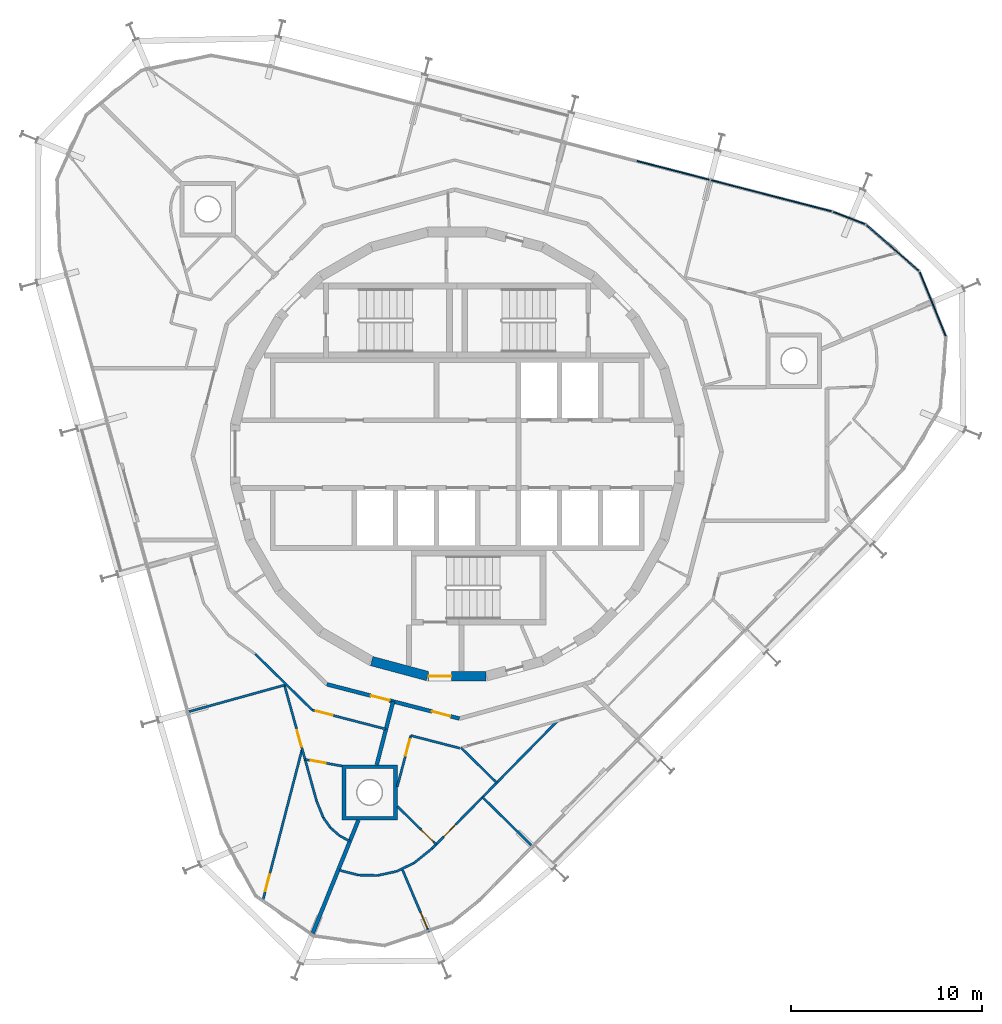
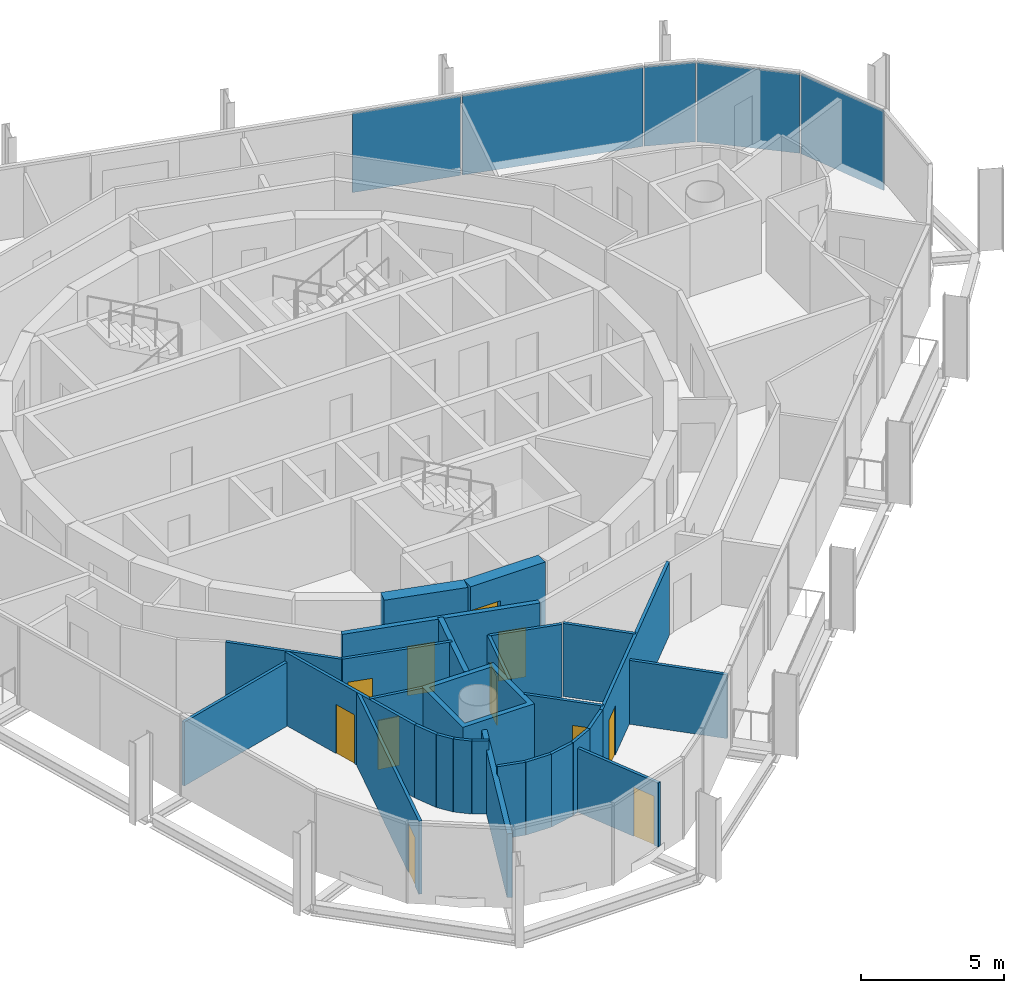
# One storey, part 9 of 15: 28 walls, 11 doors, 5 plates, 11 openings, 2 elements without a shape of their own.
"""IFC4 building model written with IfcOpenShell, lengths in metres."""

from ifc_helpers import new_model, si_unit, direction, frame, frame_2d, origin, origin_2d, place, context, subcontext, project, spatial, polyline, rectangle, outline, extrude, material, layer, layer_set, type_object, element, fill, aggregate, save


model = new_model("IFC4")

# Units and contexts
model_context = context("Model", 3, precision=1e-05, world=origin(), true_north=direction((0.0, 1.0)))
body_context = subcontext(model_context, "Body", "Model", "MODEL_VIEW")
ifc_project = project(units=[si_unit("LENGTHUNIT", "METRE"), si_unit("AREAUNIT", "SQUARE_METRE"), si_unit("VOLUMEUNIT", "CUBIC_METRE"), si_unit("PLANEANGLEUNIT", "RADIAN"), si_unit("MASSUNIT", "GRAM", prefix="KILO")], contexts=[model_context])

# Site, building, storey
site_placement = place(None, origin())
site = spatial("IfcSite", under=ifc_project, at=site_placement, CompositionType="ELEMENT")
building_placement = place(site_placement, origin())
building = spatial("IfcBuilding", under=site, at=building_placement, Name="Spindle Arch Residences", CompositionType="ELEMENT")
storey_placement = place(building_placement, frame((0.0, 0.0, 305.199951171875)))
storey = spatial("IfcBuildingStorey", under=building, at=storey_placement, Name="L78", CompositionType="ELEMENT", Elevation=305.199951171875)

# Curtain wall, plates
ifc_material_1 = material(Name="Aluminium bronze unitised frame with tinted glass", Category="aluminium")
ifc_layer_1 = layer(ifc_material_1, 0.159912109375)
ifc_layer_set_1 = layer_set([ifc_layer_1], Name="CW-D corner wall on the fillet arcs")
curtain_wall_type_1 = type_object("IfcCurtainWallType", Name="CW-D corner wall on the fillet arcs", PredefinedType="NOTDEFINED", material=ifc_layer_set_1)
curtain_wall_1_placement = place(storey_placement, origin())
curtain_wall_1 = element("IfcCurtainWall", 1, at=curtain_wall_1_placement, inside=storey, type_object=curtain_wall_type_1, Name="CW-D L78 run 1", PredefinedType="NOTDEFINED")
ifc_material_2 = material(Name="Tinted double glazing over non-combustible spandrel zone with 0.55 mm stainless steel cavity fire stop (K0)", Category="steel")
ifc_layer_2 = layer(ifc_material_2, 0.070068359375)
ifc_layer_set_2 = layer_set([ifc_layer_2], Name="Unitised glass panel with spandrel zone and stainless cavity fire stop")
plate_type = type_object("IfcPlateType", Name="Unitised glass panel with spandrel zone and stainless cavity fire stop", PredefinedType="CURTAIN_PANEL", material=ifc_layer_set_2)
plate_1_placement = place(storey_placement, frame((24.94384765625, 7.86474609375, -0.3798828125), z_axis=(0.0, 0.0, 1.0), x_axis=(-0.377302072189, 0.926090247396, 0.0)))
plate_1 = element("IfcPlate", 2, at=plate_1_placement, type_object=plate_type, Name="CW-D unit 03", PredefinedType="CURTAIN_PANEL", context=body_context, shape_type="SweptSolid", body=[
    extrude(rectangle(XDim=3.666748046875, YDim=0.070068359375, at=origin_2d()), origin(), (0.0, 0.0, 1.0), 3.3798828125),
])
plate_2_placement = place(storey_placement, frame((22.837890625, 10.81689453125, -0.3798828125), z_axis=(0.0, 0.0, 1.0), x_axis=(-0.752797991635, 0.658251611308, 0.0)))
plate_2 = element("IfcPlate", 3, at=plate_2_placement, type_object=plate_type, Name="CW-D unit 04", PredefinedType="CURTAIN_PANEL", context=body_context, shape_type="SweptSolid", body=[
    extrude(rectangle(XDim=3.666748046875, YDim=0.070068359375, at=origin_2d()), origin(), (0.0, 0.0, 1.0), 3.3798828125),
])
plate_3_placement = place(storey_placement, frame((20.560546875, 12.38232421875, -0.3798828125), z_axis=(0.0, 0.0, 1.0), x_axis=(-0.932534030225, 0.361082099353, 0.0)))
plate_3 = element("IfcPlate", 4, at=plate_3_placement, type_object=plate_type, Name="CW-D unit 05", PredefinedType="CURTAIN_PANEL", context=body_context, shape_type="SweptSolid", body=[
    extrude(rectangle(XDim=1.816162109375, YDim=0.070068359375, at=origin_2d()), origin(), (0.0, 0.0, 1.0), 3.3798828125),
])
plate_4_placement = place(storey_placement, frame((16.483154296875, 13.549072265625, -0.3798828125), z_axis=(0.0, 0.0, 1.0), x_axis=(-0.968147640378, 0.250380004054, 0.0)))
plate_4 = element("IfcPlate", 5, at=plate_4_placement, type_object=plate_type, Name="CW-D unit 06", PredefinedType="CURTAIN_PANEL", context=body_context, shape_type="SweptSolid", body=[
    extrude(rectangle(XDim=6.555908203125, YDim=0.070068359375, at=origin_2d()), origin(), (0.0, 0.0, 1.0), 3.3798828125),
])
aggregate(curtain_wall_1, [plate_1, plate_2, plate_3, plate_4])

# Curtain wall, plate
ifc_material_3 = material(Name="Aluminium bronze unitised frame with tinted glass", Category="aluminium")
ifc_layer_3 = layer(ifc_material_3, 0.159912109375)
ifc_layer_set_3 = layer_set([ifc_layer_3], Name="CW-C typical residential unitised wall")
curtain_wall_type_2 = type_object("IfcCurtainWallType", Name="CW-C typical residential unitised wall", PredefinedType="NOTDEFINED", material=ifc_layer_set_3)
curtain_wall_2_placement = place(storey_placement, origin())
curtain_wall_2 = element("IfcCurtainWall", 6, at=curtain_wall_2_placement, inside=storey, type_object=curtain_wall_type_2, Name="CW-C L78 run 2", PredefinedType="NOTDEFINED")
plate_5_placement = place(storey_placement, frame((11.34521484375, 14.8779296875, -0.3798828125), z_axis=(0.0, 0.0, 1.0), x_axis=(-0.968147640378, 0.250380004054, 0.0)))
plate_5 = element("IfcPlate", 7, at=plate_5_placement, type_object=plate_type, Name="CW-C unit 05A", PredefinedType="CURTAIN_PANEL", context=body_context, shape_type="SweptSolid", body=[
    extrude(rectangle(XDim=3.9375, YDim=0.070068359375, at=origin_2d()), origin(), (0.0, 0.0, 1.0), 3.3798828125),
])
aggregate(curtain_wall_2, [plate_5])

# Wall
ifc_material_4 = material(Name="Concrete C50/60", Category="concrete")
ifc_layer_4 = layer(ifc_material_4, 0.5)
ifc_layer_set_4 = layer_set([ifc_layer_4], Name="Core outline wall 500")
wall_type_1 = type_object("IfcWallType", Name="Core outline wall 500", PredefinedType="SHEAR", material=ifc_layer_set_4)
wall_1_placement = place(storey_placement, frame((-4.479248046875, -10.858154296875, 0.0), z_axis=(0.0, 0.0, 1.0), x_axis=(0.965948410781, -0.258734743916, 0.0)))
element("IfcWall", 8, at=wall_1_placement, inside=storey, type_object=wall_type_1, Name="Core outline wall 23", PredefinedType="SHEAR", context=body_context, shape_type="SweptSolid", body=[
    extrude(rectangle(XDim=3.03271484375, YDim=0.5, at=frame_2d((1.516357421875, 0.0))), origin(), (0.0, 0.0, 1.0), 3.1201171875),
])

# Wall, opening, door
wall_2_placement = place(storey_placement, frame((-1.516357421875, -11.647216796875, 0.0), z_axis=(0.0, 0.0, 1.0), x_axis=(1.0, 0.0, 0.0)))
wall_2 = element("IfcWall", 9, at=wall_2_placement, inside=storey, type_object=wall_type_1, Name="Core outline wall 24", PredefinedType="SHEAR", context=body_context, shape_type="SweptSolid", body=[
    extrude(rectangle(XDim=3.03271484375, YDim=0.5, at=frame_2d((1.516357421875, 0.0))), origin(), (0.0, 0.0, 1.0), 3.1201171875),
])
opening_1_placement = place(wall_2_placement, frame((0.016357421875, 0.0, 0.0)))
opening_1 = element("IfcOpeningElement", 10, at=opening_1_placement, cuts=wall_2, Name="Opening R8A0-AD03", PredefinedType="OPENING", context=body_context, shape_type="SweptSolid", body=[
    extrude(rectangle(XDim=1.199951171875, YDim=2.10009765625, at=frame_2d((0.60009765625, 1.050048828125))), frame((0.0, 0.260009765625, 0.0), z_axis=(0.0, -1.0, 0.0), x_axis=(1.0, 0.0, 0.0)), (0.0, 0.0, 1.0), 0.52001953125),
])
ifc_material_5 = material(Name="Steel, fire-resisting door", Category="steel")
door_type_1 = type_object("IfcDoorType", Name="Stair airlock door 1200x2100", OperationType="SINGLE_SWING_LEFT", PredefinedType="DOOR", material=ifc_material_5)
door_1_placement = place(opening_1_placement, origin())
door_1 = element("IfcDoor", 11, at=door_1_placement, inside=storey, type_object=door_type_1, Name="Stair airlock door R8A0-AD03", OperationType="SINGLE_SWING_RIGHT", OverallHeight=2.10009765625, OverallWidth=1.199951171875, PredefinedType="DOOR", context=body_context, shape_type="SweptSolid", body=[
    extrude(rectangle(XDim=1.199951171875, YDim=2.10009765625, at=frame_2d((0.60009765625, 1.050048828125))), frame((0.0, 0.02490234375, 0.0), z_axis=(0.0, -1.0, 0.0), x_axis=(1.0, 0.0, 0.0)), (0.0, 0.0, 1.0), 0.050048828125),
])
fill(opening_1, door_1)

# Wall, openings, doors
ifc_material_6 = material(Name="Calcium silicate block, plastered")
ifc_layer_5 = layer(ifc_material_6, 0.199951171875)
ifc_layer_set_5 = layer_set([ifc_layer_5], Name="Corridor wall 200")
wall_type_2 = type_object("IfcWallType", Name="Corridor wall 200", PredefinedType="STANDARD", material=ifc_layer_set_5)
wall_3_placement = place(storey_placement, frame((-6.831298828125, -12.07421875, 0.0), z_axis=(0.0, 0.0, 1.0), x_axis=(0.968144780225, -0.250391063186, 0.0)))
wall_3 = element("IfcWall", 12, at=wall_3_placement, inside=storey, type_object=wall_type_2, Name="Corridor wall R8A0-W014", PredefinedType="STANDARD", context=body_context, shape_type="SweptSolid", body=[
    extrude(rectangle(XDim=7.18115234375, YDim=0.199951171875, at=frame_2d((3.590576171875, 0.0))), origin(), (0.0, 0.0, 1.0), 3.1201171875),
])
opening_2_placement = place(wall_3_placement, frame((2.390380859375, 0.0, 0.0)))
opening_2 = element("IfcOpeningElement", 13, at=opening_2_placement, cuts=wall_3, Name="Opening R8A0-FD04", PredefinedType="OPENING", context=body_context, shape_type="SweptSolid", body=[
    extrude(rectangle(XDim=1.0, YDim=2.10009765625, at=frame_2d((0.5, 1.050048828125))), frame((0.0, 0.10986328125, 0.0), z_axis=(0.0, -1.0, 0.0), x_axis=(1.0, 0.0, 0.0)), (0.0, 0.0, 1.0), 0.219970703125),
])
opening_3_placement = place(wall_3_placement, frame((5.6904296875, 0.0, 0.0)))
opening_3 = element("IfcOpeningElement", 14, at=opening_3_placement, cuts=wall_3, Name="Opening R8A0-FD05", PredefinedType="OPENING", context=body_context, shape_type="SweptSolid", body=[
    extrude(rectangle(XDim=1.0, YDim=2.10009765625, at=frame_2d((0.5, 1.050048828125))), frame((0.0, 0.10986328125, 0.0), z_axis=(0.0, -1.0, 0.0), x_axis=(1.0, 0.0, 0.0)), (0.0, 0.0, 1.0), 0.219970703125),
])
ifc_material_7 = material(Name="Timber, fire-resisting door set", Category="wood")
door_type_2 = type_object("IfcDoorType", Name="Flat entrance door 1000x2100", OperationType="NOTDEFINED", PredefinedType="DOOR", material=ifc_material_7)
door_2_placement = place(opening_2_placement, origin())
door_2 = element("IfcDoor", 15, at=door_2_placement, inside=storey, type_object=door_type_2, Name="Flat entrance door R8A0-FD04", OperationType="SINGLE_SWING_RIGHT", OverallHeight=2.10009765625, OverallWidth=1.0, PredefinedType="DOOR", context=body_context, shape_type="SweptSolid", body=[
    extrude(rectangle(XDim=1.0, YDim=2.10009765625, at=frame_2d((0.5, 1.050048828125))), frame((0.0, 0.02490234375, 0.0), z_axis=(0.0, -1.0, 0.0), x_axis=(1.0, 0.0, 0.0)), (0.0, 0.0, 1.0), 0.050048828125),
])
fill(opening_2, door_2)
door_3_placement = place(opening_3_placement, origin())
door_3 = element("IfcDoor", 16, at=door_3_placement, inside=storey, type_object=door_type_2, Name="Flat entrance door R8A0-FD05", OperationType="SINGLE_SWING_LEFT", OverallHeight=2.10009765625, OverallWidth=1.0, PredefinedType="DOOR", context=body_context, shape_type="SweptSolid", body=[
    extrude(rectangle(XDim=1.0, YDim=2.10009765625, at=frame_2d((0.5, 1.050048828125))), frame((0.0, 0.02490234375, 0.0), z_axis=(0.0, -1.0, 0.0), x_axis=(1.0, 0.0, 0.0)), (0.0, 0.0, 1.0), 0.050048828125),
])
fill(opening_3, door_3)

# Wall
ifc_material_8 = material(Name="Plasterboard on steel studs", Category="steel")
ifc_layer_6 = layer(ifc_material_8, 0.1201171875)
ifc_layer_set_6 = layer_set([ifc_layer_6], Name="Flat partition 120")
wall_type_3 = type_object("IfcWallType", Name="Flat partition 120", PredefinedType="PARTITIONING", material=ifc_layer_set_6)
wall_4_placement = place(storey_placement, frame((-10.59033203125, -10.483154296875, 0.0), z_axis=(0.0, 0.0, 1.0), x_axis=(0.713244109461, -0.70091571556, 0.0)))
element("IfcWall", 17, at=wall_4_placement, inside=storey, type_object=wall_type_3, Name="Flat partition R8A0-W073", PredefinedType="PARTITIONING", context=body_context, shape_type="SweptSolid", body=[
    extrude(rectangle(XDim=4.1982421875, YDim=0.1201171875, at=frame_2d((2.09912109375, 0.0))), origin(), (0.0, 0.0, 1.0), 3.1201171875),
])

# Wall, opening, door
wall_5_placement = place(storey_placement, frame((-7.595947265625, -13.42578125, 0.0), z_axis=(0.0, 0.0, 1.0), x_axis=(0.96815406745, -0.250355151095, 0.0)))
wall_5 = element("IfcWall", 18, at=wall_5_placement, inside=storey, type_object=wall_type_3, Name="Flat partition R8A0-W074", PredefinedType="PARTITIONING", context=body_context, shape_type="SweptSolid", body=[
    extrude(rectangle(XDim=3.992431640625, YDim=0.1201171875, at=frame_2d((1.99609375, 0.0))), origin(), (0.0, 0.0, 1.0), 3.1201171875),
])
opening_4_placement = place(wall_5_placement, frame((0.199951171875, 0.0, 0.0)))
opening_4 = element("IfcOpeningElement", 19, at=opening_4_placement, cuts=wall_5, Name="Opening R8A0-ID13", PredefinedType="OPENING", context=body_context, shape_type="SweptSolid", body=[
    extrude(rectangle(XDim=0.89990234375, YDim=2.10009765625, at=frame_2d((0.449951171875, 1.050048828125))), frame((0.0, 0.070068359375, 0.0), z_axis=(0.0, -1.0, 0.0), x_axis=(1.0, 0.0, 0.0)), (0.0, 0.0, 1.0), 0.14013671875),
])
ifc_material_9 = material(Name="Timber door set", Category="wood")
door_type_3 = type_object("IfcDoorType", Name="Room door 900x2100", OperationType="NOTDEFINED", PredefinedType="DOOR", material=ifc_material_9)
door_4_placement = place(opening_4_placement, origin())
door_4 = element("IfcDoor", 20, at=door_4_placement, inside=storey, type_object=door_type_3, Name="Room door R8A0-ID13", OperationType="SINGLE_SWING_RIGHT", OverallHeight=2.10009765625, OverallWidth=0.89990234375, PredefinedType="DOOR", context=body_context, shape_type="SweptSolid", body=[
    extrude(rectangle(XDim=0.89990234375, YDim=2.10009765625, at=frame_2d((0.449951171875, 1.050048828125))), frame((0.0, 0.02490234375, 0.0), z_axis=(0.0, -1.0, 0.0), x_axis=(1.0, 0.0, 0.0)), (0.0, 0.0, 1.0), 0.050048828125),
])
fill(opening_4, door_4)

wall_6_placement = place(storey_placement, frame((-7.368408203125, -18.201904296875, 0.0), z_axis=(0.0, 0.0, 1.0), x_axis=(-0.26723158658, 0.963632336077, 0.0)))
wall_6 = element("IfcWall", 21, at=wall_6_placement, inside=storey, type_object=wall_type_3, Name="Flat partition R8A0-W076", PredefinedType="PARTITIONING", context=body_context, shape_type="SweptSolid", body=[
    extrude(rectangle(XDim=6.35302734375, YDim=0.1201171875, at=frame_2d((3.176513671875, 0.0))), origin(), (0.0, 0.0, 1.0), 3.1201171875),
])
opening_5_placement = place(wall_6_placement, frame((2.9560546875, 0.0, 0.0)))
opening_5 = element("IfcOpeningElement", 22, at=opening_5_placement, cuts=wall_6, Name="Opening R8A0-ID14", PredefinedType="OPENING", context=body_context, shape_type="SweptSolid", body=[
    extrude(rectangle(XDim=0.89990234375, YDim=2.10009765625, at=frame_2d((0.449951171875, 1.050048828125))), frame((0.0, 0.070068359375, 0.0), z_axis=(0.0, -1.0, 0.0), x_axis=(1.0, 0.0, 0.0)), (0.0, 0.0, 1.0), 0.14013671875),
])
door_5_placement = place(opening_5_placement, origin())
door_5 = element("IfcDoor", 23, at=door_5_placement, inside=storey, type_object=door_type_3, Name="Room door R8A0-ID14", OperationType="SINGLE_SWING_RIGHT", OverallHeight=2.10009765625, OverallWidth=0.89990234375, PredefinedType="DOOR", context=body_context, shape_type="SweptSolid", body=[
    extrude(rectangle(XDim=0.89990234375, YDim=2.10009765625, at=frame_2d((0.449951171875, 1.050048828125))), frame((0.0, 0.02490234375, 0.0), z_axis=(0.0, -1.0, 0.0), x_axis=(1.0, 0.0, 0.0)), (0.0, 0.0, 1.0), 0.050048828125),
])
fill(opening_5, door_5)

wall_7_placement = place(storey_placement, frame((-10.18603515625, -23.406494140625, 0.0), z_axis=(0.0, 0.0, 1.0), x_axis=(0.251184292323, 0.967939280787, 0.0)))
wall_7 = element("IfcWall", 24, at=wall_7_placement, inside=storey, type_object=wall_type_3, Name="Flat partition R8A0-W077", PredefinedType="PARTITIONING", context=body_context, shape_type="SweptSolid", body=[
    extrude(rectangle(XDim=8.200439453125, YDim=0.1201171875, at=frame_2d((4.10009765625, 0.0))), origin(), (0.0, 0.0, 1.0), 3.1201171875),
])
opening_6_placement = place(wall_7_placement, frame((0.5, 0.0, 0.0)))
opening_6 = element("IfcOpeningElement", 25, at=opening_6_placement, cuts=wall_7, Name="Opening R8A0-ID15", PredefinedType="OPENING", context=body_context, shape_type="SweptSolid", body=[
    extrude(rectangle(XDim=0.89990234375, YDim=2.10009765625, at=frame_2d((0.449951171875, 1.050048828125))), frame((0.0, 0.070068359375, 0.0), z_axis=(0.0, -1.0, 0.0), x_axis=(1.0, 0.0, 0.0)), (0.0, 0.0, 1.0), 0.14013671875),
])
door_6_placement = place(opening_6_placement, origin())
door_6 = element("IfcDoor", 26, at=door_6_placement, inside=storey, type_object=door_type_3, Name="Room door R8A0-ID15", OperationType="SINGLE_SWING_RIGHT", OverallHeight=2.10009765625, OverallWidth=0.89990234375, PredefinedType="DOOR", context=body_context, shape_type="SweptSolid", body=[
    extrude(rectangle(XDim=0.89990234375, YDim=2.10009765625, at=frame_2d((0.449951171875, 1.050048828125))), frame((0.0, 0.02490234375, 0.0), z_axis=(0.0, -1.0, 0.0), x_axis=(1.0, 0.0, 0.0)), (0.0, 0.0, 1.0), 0.050048828125),
])
fill(opening_6, door_6)

wall_8_placement = place(storey_placement, frame((-7.974853515625, -16.014892578125, 0.0), z_axis=(0.0, 0.0, 1.0), x_axis=(0.984356897167, -0.176185978441, 0.0)))
wall_8 = element("IfcWall", 27, at=wall_8_placement, inside=storey, type_object=wall_type_3, Name="Flat partition R8A0-W078", PredefinedType="PARTITIONING", context=body_context, shape_type="SweptSolid", body=[
    extrude(rectangle(XDim=1.96630859375, YDim=0.1201171875, at=frame_2d((0.983154296875, 0.0))), origin(), (0.0, 0.0, 1.0), 3.1201171875),
])
opening_7_placement = place(wall_8_placement, frame((0.300048828125, 0.0, 0.0)))
opening_7 = element("IfcOpeningElement", 28, at=opening_7_placement, cuts=wall_8, Name="Opening R8A0-BD04", PredefinedType="OPENING", context=body_context, shape_type="SweptSolid", body=[
    extrude(rectangle(XDim=0.800048828125, YDim=2.10009765625, at=frame_2d((0.39990234375, 1.050048828125))), frame((0.0, 0.070068359375, 0.0), z_axis=(0.0, -1.0, 0.0), x_axis=(1.0, 0.0, 0.0)), (0.0, 0.0, 1.0), 0.14013671875),
])
ifc_material_10 = material(Name="Timber door set", Category="wood")
door_type_4 = type_object("IfcDoorType", Name="Bathroom door 800x2100", OperationType="NOTDEFINED", PredefinedType="DOOR", material=ifc_material_10)
door_7_placement = place(opening_7_placement, origin())
door_7 = element("IfcDoor", 29, at=door_7_placement, inside=storey, type_object=door_type_4, Name="Bathroom door R8A0-BD04", OperationType="SINGLE_SWING_RIGHT", OverallHeight=2.10009765625, OverallWidth=0.800048828125, PredefinedType="DOOR", context=body_context, shape_type="SweptSolid", body=[
    extrude(rectangle(XDim=0.800048828125, YDim=2.10009765625, at=frame_2d((0.39990234375, 1.050048828125))), frame((0.0, 0.02490234375, 0.0), z_axis=(0.0, -1.0, 0.0), x_axis=(1.0, 0.0, 0.0)), (0.0, 0.0, 1.0), 0.050048828125),
])
fill(opening_7, door_7)

# Walls
wall_9_placement = place(storey_placement, frame((-5.623291015625, -20.3046875, 0.0), z_axis=(0.0, 0.0, 1.0), x_axis=(-0.884133271246, 0.467234800369, 0.0)))
element("IfcWall", 30, at=wall_9_placement, inside=storey, type_object=wall_type_3, Name="Flat partition R8A0-W079", PredefinedType="PARTITIONING", context=body_context, shape_type="SweptSolid", body=[
    extrude(rectangle(XDim=0.601318359375, YDim=0.1201171875, at=frame_2d((0.30078125, 0.0))), origin(), (0.0, 0.0, 1.0), 3.1201171875),
])
wall_10_placement = place(storey_placement, frame((-6.155029296875, -20.023681640625, 0.0), z_axis=(0.0, 0.0, 1.0), x_axis=(-0.753047703781, 0.657965923001, 0.0)))
element("IfcWall", 31, at=wall_10_placement, inside=storey, type_object=wall_type_3, Name="Flat partition R8A0-W080", PredefinedType="PARTITIONING", context=body_context, shape_type="SweptSolid", body=[
    extrude(rectangle(XDim=0.641845703125, YDim=0.1201171875, at=frame_2d((0.32080078125, 0.0))), origin(), (0.0, 0.0, 1.0), 3.1201171875),
])
wall_11_placement = place(storey_placement, frame((-6.638427734375, -19.601318359375, 0.0), z_axis=(0.0, 0.0, 1.0), x_axis=(-0.580662514246, 0.814144363458, 0.0)))
element("IfcWall", 32, at=wall_11_placement, inside=storey, type_object=wall_type_3, Name="Flat partition R8A0-W081", PredefinedType="PARTITIONING", context=body_context, shape_type="SweptSolid", body=[
    extrude(rectangle(XDim=0.64208984375, YDim=0.1201171875, at=frame_2d((0.321044921875, 0.0))), origin(), (0.0, 0.0, 1.0), 3.1201171875),
])
wall_12_placement = place(storey_placement, frame((-7.01123046875, -19.07861328125, 0.0), z_axis=(0.0, 0.0, 1.0), x_axis=(-0.377296887314, 0.92609235977, 0.0)))
element("IfcWall", 33, at=wall_12_placement, inside=storey, type_object=wall_type_3, Name="Flat partition R8A0-W082", PredefinedType="PARTITIONING", context=body_context, shape_type="SweptSolid", body=[
    extrude(rectangle(XDim=0.94677734375, YDim=0.1201171875, at=frame_2d((0.473388671875, 0.0))), origin(), (0.0, 0.0, 1.0), 3.1201171875),
])

# Wall, opening, door
wall_13_placement = place(storey_placement, frame((-3.139404296875, -17.447509765625, 0.0), z_axis=(0.0, 0.0, 1.0), x_axis=(0.256551998295, 0.966530430028, 0.0)))
wall_13 = element("IfcWall", 34, at=wall_13_placement, inside=storey, type_object=wall_type_3, Name="Flat partition R8A0-W083", PredefinedType="PARTITIONING", context=body_context, shape_type="SweptSolid", body=[
    extrude(rectangle(XDim=2.77783203125, YDim=0.1201171875, at=frame_2d((1.388916015625, 0.0))), origin(), (0.0, 0.0, 1.0), 3.1201171875),
])
opening_8_placement = place(wall_13_placement, frame((1.677978515625, 0.0, 0.0)))
opening_8 = element("IfcOpeningElement", 35, at=opening_8_placement, cuts=wall_13, Name="Opening R8A0-ID16", PredefinedType="OPENING", context=body_context, shape_type="SweptSolid", body=[
    extrude(rectangle(XDim=0.89990234375, YDim=2.10009765625, at=frame_2d((0.449951171875, 1.050048828125))), frame((0.0, 0.070068359375, 0.0), z_axis=(0.0, -1.0, 0.0), x_axis=(1.0, 0.0, 0.0)), (0.0, 0.0, 1.0), 0.14013671875),
])
door_8_placement = place(opening_8_placement, origin())
door_8 = element("IfcDoor", 36, at=door_8_placement, inside=storey, type_object=door_type_3, Name="Room door R8A0-ID16", OperationType="SINGLE_SWING_LEFT", OverallHeight=2.10009765625, OverallWidth=0.89990234375, PredefinedType="DOOR", context=body_context, shape_type="SweptSolid", body=[
    extrude(rectangle(XDim=0.89990234375, YDim=2.10009765625, at=frame_2d((0.449951171875, 1.050048828125))), frame((0.0, 0.02490234375, 0.0), z_axis=(0.0, -1.0, 0.0), x_axis=(1.0, 0.0, 0.0)), (0.0, 0.0, 1.0), 0.050048828125),
])
fill(opening_8, door_8)

# Walls
wall_14_placement = place(storey_placement, frame((-2.4267578125, -14.7626953125, 0.0), z_axis=(0.0, 0.0, 1.0), x_axis=(0.968151154118, -0.250366417036, 0.0)))
element("IfcWall", 37, at=wall_14_placement, inside=storey, type_object=wall_type_3, Name="Flat partition R8A0-W084", PredefinedType="PARTITIONING", context=body_context, shape_type="SweptSolid", body=[
    extrude(rectangle(XDim=2.6455078125, YDim=0.1201171875, at=frame_2d((1.32275390625, 0.0))), origin(), (0.0, 0.0, 1.0), 3.1201171875),
])
wall_15_placement = place(storey_placement, frame((-2.259765625, -21.44921875, 0.0), z_axis=(0.0, 0.0, 1.0), x_axis=(-0.90254047062, -0.430605038166, 0.0)))
element("IfcWall", 38, at=wall_15_placement, inside=storey, type_object=wall_type_3, Name="Flat partition R8A0-W086", PredefinedType="PARTITIONING", context=body_context, shape_type="SweptSolid", body=[
    extrude(rectangle(XDim=1.01611328125, YDim=0.1201171875, at=frame_2d((0.508056640625, 0.0))), origin(), (0.0, 0.0, 1.0), 3.1201171875),
])
for number, where, z_axis, x_axis, name in (
    (39, (-3.1767578125, -21.88671875, 0.0), (0.0, 0.0, 1.0), (-0.977541432368, -0.210743322563, 0.0), "Flat partition R8A0-W087"),
    (40, (-4.169921875, -22.100830078125, 0.0), (0.0, 0.0, 1.0), (-0.999791317883, 0.02042842837, 0.0), "Flat partition R8A0-W088"),
):
    element("IfcWall", number, at=place(storey_placement, frame(where, z_axis=z_axis, x_axis=x_axis)), inside=storey, type_object=wall_type_3, Name=name, PredefinedType="PARTITIONING", context=body_context, shape_type="SweptSolid", body=[
        extrude(rectangle(XDim=1.015869140625, YDim=0.1201171875, at=frame_2d((0.5078125, 0.0))), origin(), (0.0, 0.0, 1.0), 3.1201171875),
    ])
wall_16_placement = place(storey_placement, frame((-5.185546875, -22.080078125, 0.0), z_axis=(0.0, 0.0, 1.0), x_axis=(-0.968145907309, 0.250386705241, 0.0)))
element("IfcWall", 41, at=wall_16_placement, inside=storey, type_object=wall_type_3, Name="Flat partition R8A0-W089", PredefinedType="PARTITIONING", context=body_context, shape_type="SweptSolid", body=[
    extrude(rectangle(XDim=1.01611328125, YDim=0.1201171875, at=frame_2d((0.508056640625, 0.0))), origin(), (0.0, 0.0, 1.0), 3.1201171875),
])

# Wall, opening, door
wall_17_placement = place(storey_placement, frame((-1.101318359375, -20.4736328125, 0.0), z_axis=(0.0, 0.0, 1.0), x_axis=(-0.713316946232, 0.700841589961, 0.0)))
wall_17 = element("IfcWall", 42, at=wall_17_placement, inside=storey, type_object=wall_type_3, Name="Flat partition R8A0-W091", PredefinedType="PARTITIONING", context=body_context, shape_type="SweptSolid", body=[
    extrude(rectangle(XDim=2.857177734375, YDim=0.1201171875, at=frame_2d((1.4287109375, 0.0))), origin(), (0.0, 0.0, 1.0), 3.1201171875),
])
opening_9_placement = place(wall_17_placement, frame((0.199951171875, 0.0, 0.0)))
opening_9 = element("IfcOpeningElement", 43, at=opening_9_placement, cuts=wall_17, Name="Opening R8A0-ID18", PredefinedType="OPENING", context=body_context, shape_type="SweptSolid", body=[
    extrude(rectangle(XDim=0.89990234375, YDim=2.10009765625, at=frame_2d((0.449951171875, 1.050048828125))), frame((0.0, 0.070068359375, 0.0), z_axis=(0.0, -1.0, 0.0), x_axis=(1.0, 0.0, 0.0)), (0.0, 0.0, 1.0), 0.14013671875),
])
door_9_placement = place(opening_9_placement, origin())
door_9 = element("IfcDoor", 44, at=door_9_placement, inside=storey, type_object=door_type_3, Name="Room door R8A0-ID18", OperationType="SINGLE_SWING_LEFT", OverallHeight=2.10009765625, OverallWidth=0.89990234375, PredefinedType="DOOR", context=body_context, shape_type="SweptSolid", body=[
    extrude(rectangle(XDim=0.89990234375, YDim=2.10009765625, at=frame_2d((0.449951171875, 1.050048828125))), frame((0.0, 0.02490234375, 0.0), z_axis=(0.0, -1.0, 0.0), x_axis=(1.0, 0.0, 0.0)), (0.0, 0.0, 1.0), 0.050048828125),
])
fill(opening_9, door_9)

# Wall
wall_18_placement = place(storey_placement, frame((-2.259765625, -21.44921875, 0.0), z_axis=(0.0, 0.0, 1.0), x_axis=(0.779021167429, 0.626997624156, 0.0)))
element("IfcWall", 45, at=wall_18_placement, inside=storey, type_object=wall_type_3, Name="Flat partition R8A0-W092", PredefinedType="PARTITIONING", context=body_context, shape_type="SweptSolid", body=[
    extrude(rectangle(XDim=1.22705078125, YDim=0.1201171875, at=frame_2d((0.613525390625, 0.0))), origin(), (0.0, 0.0, 1.0), 3.1201171875),
])

# Wall, opening, door
wall_19_placement = place(storey_placement, frame((-1.303955078125, -20.679931640625, 0.0), z_axis=(0.0, 0.0, 1.0), x_axis=(0.700896976526, 0.713262524108, 0.0)))
wall_19 = element("IfcWall", 46, at=wall_19_placement, inside=storey, type_object=wall_type_3, Name="Flat partition R8A0-W093", PredefinedType="PARTITIONING", context=body_context, shape_type="SweptSolid", body=[
    extrude(rectangle(XDim=9.3583984375, YDim=0.1201171875, at=frame_2d((4.67919921875, 0.0))), origin(), (0.0, 0.0, 1.0), 3.1201171875),
])
opening_10_placement = place(wall_19_placement, frame((0.84912109375, 0.0, 0.0)))
opening_10 = element("IfcOpeningElement", 47, at=opening_10_placement, cuts=wall_19, Name="Opening R8A0-ID19", PredefinedType="OPENING", context=body_context, shape_type="SweptSolid", body=[
    extrude(rectangle(XDim=0.89990234375, YDim=2.10009765625, at=frame_2d((0.449951171875, 1.050048828125))), frame((0.0, 0.070068359375, 0.0), z_axis=(0.0, -1.0, 0.0), x_axis=(1.0, 0.0, 0.0)), (0.0, 0.0, 1.0), 0.14013671875),
])
door_10_placement = place(opening_10_placement, origin())
door_10 = element("IfcDoor", 48, at=door_10_placement, inside=storey, type_object=door_type_3, Name="Room door R8A0-ID19", OperationType="SINGLE_SWING_LEFT", OverallHeight=2.10009765625, OverallWidth=0.89990234375, PredefinedType="DOOR", context=body_context, shape_type="SweptSolid", body=[
    extrude(rectangle(XDim=0.89990234375, YDim=2.10009765625, at=frame_2d((0.449951171875, 1.050048828125))), frame((0.0, 0.02490234375, 0.0), z_axis=(0.0, -1.0, 0.0), x_axis=(1.0, 0.0, 0.0)), (0.0, 0.0, 1.0), 0.050048828125),
])
fill(opening_10, door_10)

# Walls
wall_20_placement = place(storey_placement, frame((2.076904296875, -17.2392578125, 0.0), z_axis=(0.0, 0.0, 1.0), x_axis=(-0.713235001716, 0.700924983381, 0.0)))
element("IfcWall", 49, at=wall_20_placement, inside=storey, type_object=wall_type_3, Name="Flat partition R8A0-W094", PredefinedType="PARTITIONING", context=body_context, shape_type="SweptSolid", body=[
    extrude(rectangle(XDim=2.617919921875, YDim=0.1201171875, at=frame_2d((1.30908203125, 0.0))), origin(), (0.0, 0.0, 1.0), 3.1201171875),
])
ifc_material_11 = material(Name="Plasterboard on steel studs", Category="steel")
ifc_layer_7 = layer(ifc_material_11, 0.1201171875)
ifc_layer_set_7 = layer_set([ifc_layer_7], Name="Flat partition 120 under beam 2730")
wall_type_4 = type_object("IfcWallType", Name="Flat partition 120 under beam 2730", PredefinedType="PARTITIONING", material=ifc_layer_set_7)
wall_21_placement = place(storey_placement, frame((-14.06640625, -13.5078125, 0.0), z_axis=(0.0, 0.0, 1.0), x_axis=(0.963643585504, 0.267191018032, 0.0)))
element("IfcWall", 50, at=wall_21_placement, inside=storey, type_object=wall_type_4, Name="Flat partition R8A0-W075", PredefinedType="PARTITIONING", context=body_context, shape_type="SweptSolid", body=[
    extrude(rectangle(XDim=5.199951171875, YDim=0.1201171875, at=frame_2d((2.60009765625, 0.0))), origin(), (0.0, 0.0, 1.0), 2.72998046875),
])

# Wall, opening, door
wall_22_placement = place(storey_placement, frame((-1.47998046875, -25.06591796875, 0.0), z_axis=(0.0, 0.0, 1.0), x_axis=(-0.3909326022, 0.920419306912, 0.0)))
wall_22 = element("IfcWall", 51, at=wall_22_placement, inside=storey, type_object=wall_type_4, Name="Flat partition R8A0-W090", PredefinedType="PARTITIONING", context=body_context, shape_type="SweptSolid", body=[
    extrude(rectangle(XDim=3.603515625, YDim=0.1201171875, at=frame_2d((1.8017578125, 0.0))), origin(), (0.0, 0.0, 1.0), 2.72998046875),
])
opening_11_placement = place(wall_22_placement, frame((0.199951171875, 0.0, 0.0)))
opening_11 = element("IfcOpeningElement", 52, at=opening_11_placement, cuts=wall_22, Name="Opening R8A0-ID20", PredefinedType="OPENING", context=body_context, shape_type="SweptSolid", body=[
    extrude(rectangle(XDim=0.89990234375, YDim=2.10009765625, at=frame_2d((0.449951171875, 1.050048828125))), frame((0.0, 0.070068359375, 0.0), z_axis=(0.0, -1.0, 0.0), x_axis=(1.0, 0.0, 0.0)), (0.0, 0.0, 1.0), 0.14013671875),
])
door_11_placement = place(opening_11_placement, origin())
door_11 = element("IfcDoor", 53, at=door_11_placement, inside=storey, type_object=door_type_3, Name="Room door R8A0-ID20", OperationType="SINGLE_SWING_LEFT", OverallHeight=2.10009765625, OverallWidth=0.89990234375, PredefinedType="DOOR", context=body_context, shape_type="SweptSolid", body=[
    extrude(rectangle(XDim=0.89990234375, YDim=2.10009765625, at=frame_2d((0.449951171875, 1.050048828125))), frame((0.0, 0.02490234375, 0.0), z_axis=(0.0, -1.0, 0.0), x_axis=(1.0, 0.0, 0.0)), (0.0, 0.0, 1.0), 0.050048828125),
])
fill(opening_11, door_11)

# Walls
wall_23_placement = place(storey_placement, frame((3.89990234375, -20.5205078125, 0.0), z_axis=(0.0, 0.0, 1.0), x_axis=(-0.713217465002, 0.700942827637, 0.0)))
element("IfcWall", 54, at=wall_23_placement, inside=storey, type_object=wall_type_4, Name="Flat partition R8A0-W095", PredefinedType="PARTITIONING", context=body_context, shape_type="SweptSolid", body=[
    extrude(rectangle(XDim=3.60009765625, YDim=0.1201171875, at=frame_2d((1.800048828125, 0.0))), origin(), (0.0, 0.0, 1.0), 2.72998046875),
])
ifc_material_12 = material(Name="Calcium silicate block, plastered")
ifc_layer_8 = layer(ifc_material_12, 0.199951171875)
ifc_layer_set_8 = layer_set([ifc_layer_8], Name="Flat party wall 200")
wall_type_5 = type_object("IfcWallType", Name="Flat party wall 200", PredefinedType="STANDARD", material=ifc_layer_set_8)
wall_24_placement = place(storey_placement, frame((-4.21435546875, -16.29541015625, 0.0), z_axis=(0.0, 0.0, 1.0), x_axis=(0.250428810918, 0.968135016752, 0.0)))
element("IfcWall", 55, at=wall_24_placement, inside=storey, type_object=wall_type_5, Name="Flat party wall R8A0-W029", PredefinedType="STANDARD", context=body_context, shape_type="SweptSolid", body=[
    extrude(rectangle(XDim=3.431640625, YDim=0.199951171875, at=frame_2d((1.7158203125, 0.0))), origin(), (0.0, 0.0, 1.0), 3.1201171875),
])
ifc_material_13 = material(Name="Calcium silicate block, plastered")
ifc_layer_9 = layer(ifc_material_13, 0.199951171875)
ifc_layer_set_9 = layer_set([ifc_layer_9], Name="Flat party wall 200 under beam 2730")
wall_type_6 = type_object("IfcWallType", Name="Flat party wall 200 under beam 2730", PredefinedType="STANDARD", material=ifc_layer_set_9)
wall_25_placement = place(storey_placement, frame((-7.581787109375, -25.15087890625, 0.0), z_axis=(0.0, 0.0, 1.0), x_axis=(0.374645287615, 0.927168220156, 0.0)))
element("IfcWall", 56, at=wall_25_placement, inside=storey, type_object=wall_type_6, Name="Flat party wall R8A0-W030", PredefinedType="STANDARD", context=body_context, shape_type="SweptSolid", body=[
    extrude(rectangle(XDim=6.42333984375, YDim=0.199951171875, at=frame_2d((3.211669921875, 0.0))), origin(), (0.0, 0.0, 1.0), 2.72998046875),
])
ifc_material_14 = material(Name="Calcium silicate block, plastered")
ifc_layer_10 = layer(ifc_material_14, 0.199951171875)
ifc_layer_set_10 = layer_set([ifc_layer_10], Name="Mega-column casing wall 200")
wall_type_7 = type_object("IfcWallType", Name="Mega-column casing wall 200", PredefinedType="STANDARD", material=ifc_layer_set_10)
wall_26_placement = place(storey_placement, origin())
element("IfcWall", 57, at=wall_26_placement, inside=storey, type_object=wall_type_7, Name="Mega-column casing wall R8A0-WC03", PredefinedType="STANDARD", context=body_context, shape_type="SweptSolid", body=[
    extrude(outline(polyline([(-3.139404296875, -16.29541015625), (-3.139404296875, -19.1953125), (-6.039306640625, -19.1953125), (-6.039306640625, -16.29541015625), (-3.139404296875, -16.29541015625)]), holes=[polyline([(-5.83935546875, -18.995361328125), (-3.33935546875, -18.995361328125), (-3.33935546875, -16.495361328125), (-5.83935546875, -16.495361328125), (-5.83935546875, -18.995361328125)])]), origin(), (0.0, 0.0, 1.0), 3.1201171875),
])

save(model, "model.ifc")
